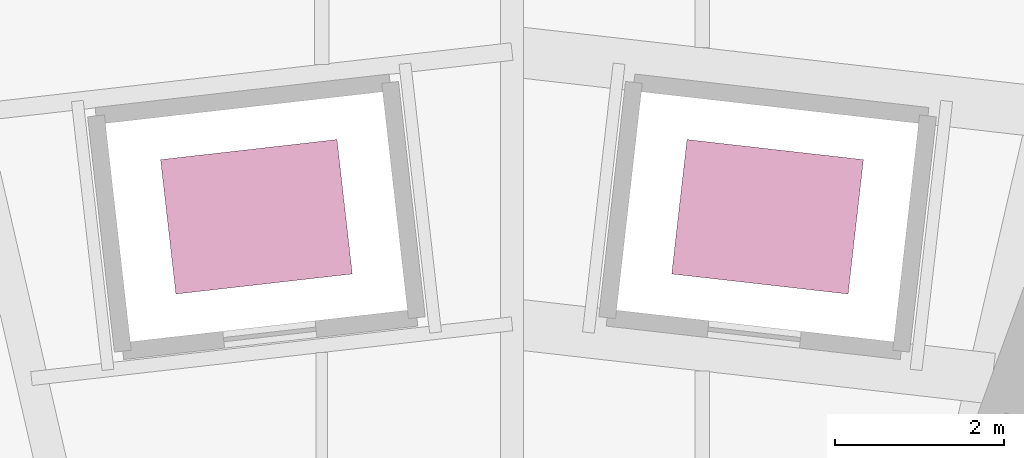
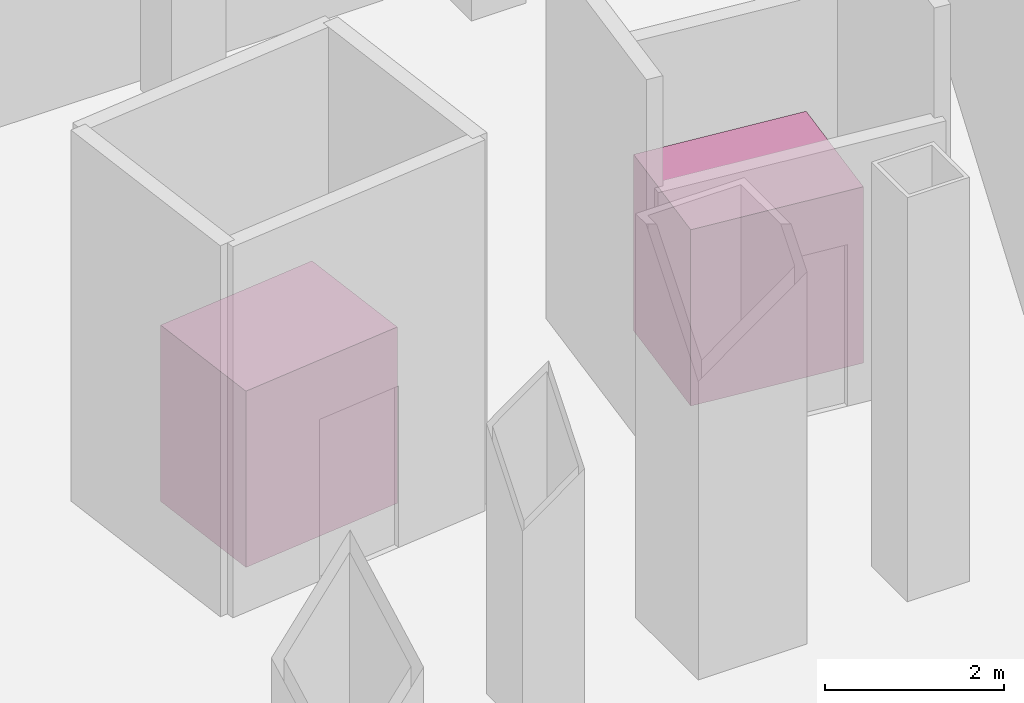
# One storey, part 19 of 19: 2 transport elements.
"""IFC4 building model written with IfcOpenShell, lengths in metres."""

from ifc_helpers import new_model, si_unit, direction, frame, origin, origin_2d, place, context, subcontext, project, spatial, rectangle, extrude, material, type_object, element, save


model = new_model("IFC4")

# Units and contexts
model_context = context("Model", 3, precision=1e-05, world=origin(), true_north=direction((0.0, 1.0)))
body_context = subcontext(model_context, "Body", "Model", "MODEL_VIEW")
ifc_project = project(units=[si_unit("LENGTHUNIT", "METRE"), si_unit("AREAUNIT", "SQUARE_METRE"), si_unit("VOLUMEUNIT", "CUBIC_METRE"), si_unit("PLANEANGLEUNIT", "RADIAN"), si_unit("MASSUNIT", "GRAM", prefix="KILO")], contexts=[model_context])

# Site, building, storey
site_placement = place(None, origin())
site = spatial("IfcSite", under=ifc_project, at=site_placement, CompositionType="ELEMENT")
building_placement = place(site_placement, origin())
building = spatial("IfcBuilding", under=site, at=building_placement, Name="Lantaw Convention Tower", CompositionType="ELEMENT")
storey_placement = place(building_placement, frame((0.0, 0.0, -5.5)))
storey = spatial("IfcBuildingStorey", under=building, at=storey_placement, Name="B1", CompositionType="ELEMENT", Elevation=-5.5)

# Transport elements
ifc_material = material(Name="Stainless steel car", Category="steel")
transport_element_type = type_object("IfcTransportElementType", Name="Podium lift 2100x1600", PredefinedType="ELEVATOR", material=ifc_material)
for number, where, z_axis, x_axis, name in (
    (1, (3.0224609375, 26.5283203125, 0.0), (0.0, 0.0, 1.0), (0.113203213768, 0.993571855677, 0.0), "Podium lift PL1"),
    (2, (-3.0224609375, 26.5283203125, 0.0), (0.0, 0.0, 1.0), (-0.113203213768, 0.993571855677, 0.0), "Podium lift PL2"),
):
    element("IfcTransportElement", number, at=place(storey_placement, frame(where, z_axis=z_axis, x_axis=x_axis)), inside=storey, type_object=transport_element_type, Name=name, PredefinedType="ELEVATOR", context=body_context, shape_type="SweptSolid", body=[
        extrude(rectangle(XDim=1.60009765625, YDim=2.10009765625, at=origin_2d()), origin(), (0.0, 0.0, 1.0), 2.39990234375),
    ])

save(model, "model.ifc")
